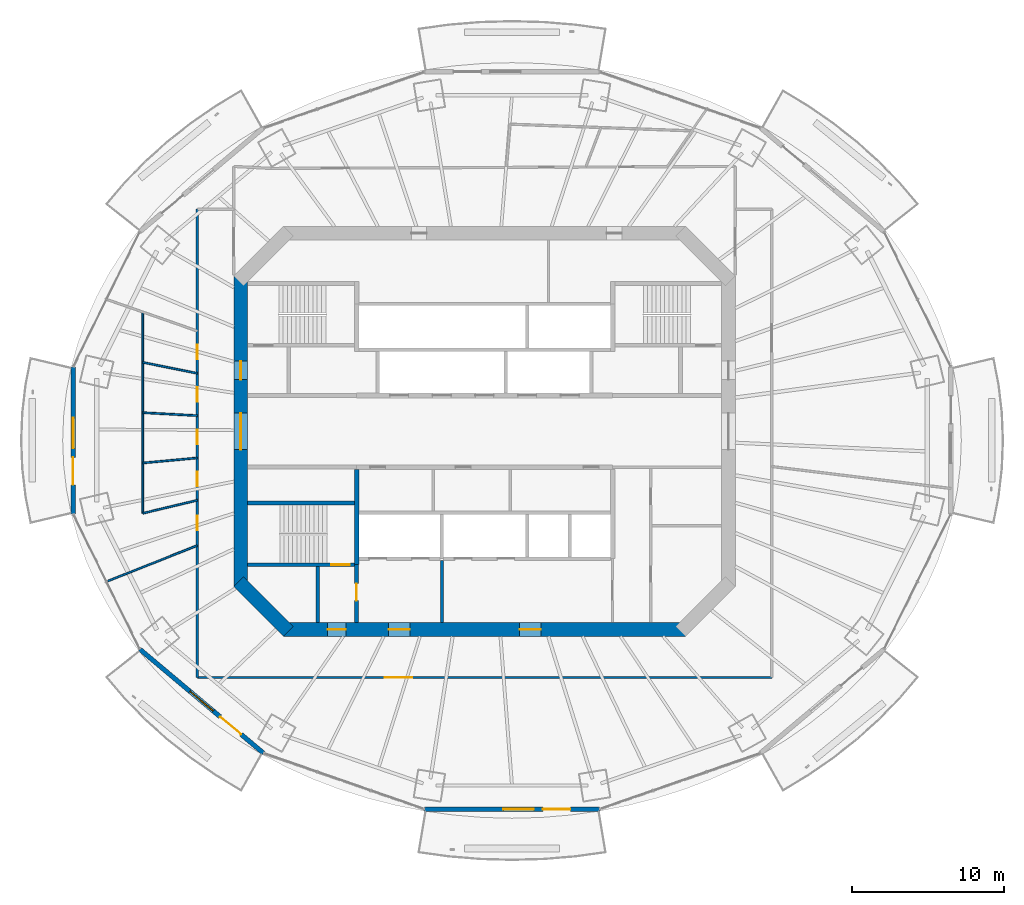
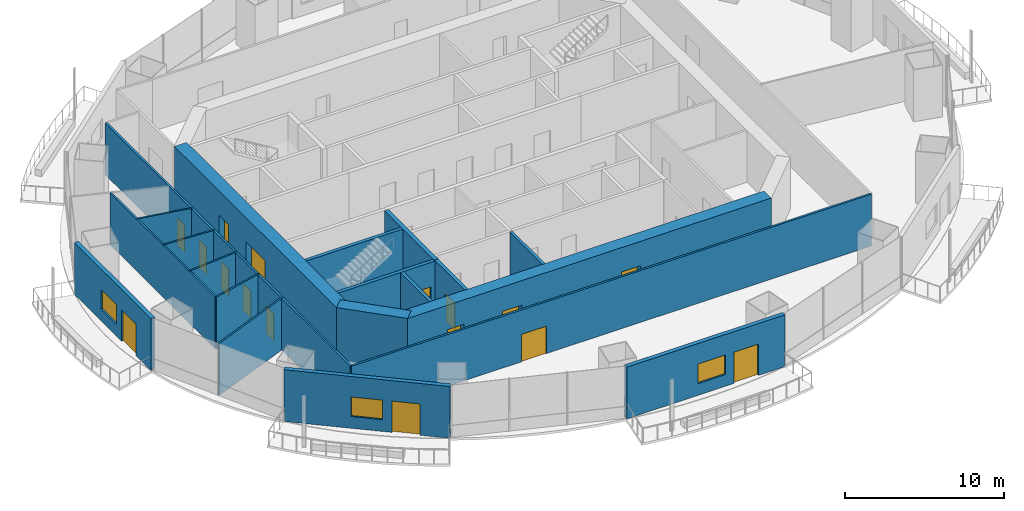
# One storey, part 10 of 18: 20 walls, 16 doors, 3 windows, 19 openings.
"""IFC4 building model written with IfcOpenShell, lengths in metres."""

from ifc_helpers import new_model, si_unit, direction, frame, frame_2d, origin, place, context, subcontext, project, spatial, rectangle, extrude, material, layer, layer_set, type_object, element, fill, save


model = new_model("IFC4")

# Units and contexts
model_context = context("Model", 3, precision=1e-05, world=origin(), true_north=direction((0.0, 1.0)))
body_context = subcontext(model_context, "Body", "Model", "MODEL_VIEW")
ifc_project = project(units=[si_unit("LENGTHUNIT", "METRE"), si_unit("AREAUNIT", "SQUARE_METRE"), si_unit("VOLUMEUNIT", "CUBIC_METRE"), si_unit("PLANEANGLEUNIT", "RADIAN"), si_unit("MASSUNIT", "GRAM", prefix="KILO")], contexts=[model_context])

# Site, building, storey
site_placement = place(None, origin())
site = spatial("IfcSite", under=ifc_project, at=site_placement, CompositionType="ELEMENT")
building_placement = place(site_placement, origin())
building = spatial("IfcBuilding", under=site, at=building_placement, Name="Marenthal Gate Tower", CompositionType="ELEMENT")
storey_placement = place(building_placement, frame((0.0, 0.0, 264.800048828125)))
storey = spatial("IfcBuildingStorey", under=building, at=storey_placement, Name="L59", CompositionType="ELEMENT", Elevation=264.800048828125)

# Wall, openings, doors
ifc_material_1 = material(Name="Concrete 60 MPa", Category="concrete")
ifc_layer_1 = layer(ifc_material_1, 0.89990234375)
ifc_layer_set_1 = layer_set([ifc_layer_1], Name="Core shear wall 900")
wall_type_1 = type_object("IfcWallType", Name="Core shear wall 900", PredefinedType="SHEAR", material=ifc_layer_set_1)
wall_1_placement = place(storey_placement, frame((-16.0, 10.186279296875, -0.179931640625), z_axis=(0.0, 0.0, 1.0), x_axis=(0.0, -1.0, 0.0)))
wall_1 = element("IfcWall", 1, at=wall_1_placement, inside=storey, type_object=wall_type_1, Name="Core wall 06", PredefinedType="SHEAR", context=body_context, shape_type="SweptSolid", body=[
    extrude(rectangle(XDim=20.37255859375, YDim=0.89990234375, at=frame_2d((10.186279296875, 0.0))), origin(), (0.0, 0.0, 1.0), 4.14990234375),
])
opening_1_placement = place(wall_1_placement, frame((8.986328125, 0.0, 0.179931640625)))
opening_1 = element("IfcOpeningElement", 2, at=opening_1_placement, cuts=wall_1, Name="Opening D003.01", PredefinedType="OPENING", context=body_context, shape_type="SweptSolid", body=[
    extrude(rectangle(XDim=2.39990234375, YDim=2.10009765625, at=frame_2d((1.199951171875, 1.050048828125))), frame((0.0, 0.4599609375, 0.0), z_axis=(0.0, -1.0, 0.0), x_axis=(1.0, 0.0, 0.0)), (0.0, 0.0, 1.0), 0.919921875),
])
opening_2_placement = place(wall_1_placement, frame((5.58642578125, 0.0, 0.179931640625)))
opening_2 = element("IfcOpeningElement", 3, at=opening_2_placement, cuts=wall_1, Name="Opening D001.04", PredefinedType="OPENING", context=body_context, shape_type="SweptSolid", body=[
    extrude(rectangle(XDim=1.199951171875, YDim=2.10009765625, at=frame_2d((0.60009765625, 1.050048828125))), frame((0.0, 0.4599609375, 0.0), z_axis=(0.0, -1.0, 0.0), x_axis=(1.0, 0.0, 0.0)), (0.0, 0.0, 1.0), 0.919921875),
])
ifc_material_2 = material(Name="Steel fire door", Category="steel")
door_type_1 = type_object("IfcDoorType", Name="Double fire door FD 45 2400 x 2100", OperationType="DOUBLE_DOOR_SINGLE_SWING", PredefinedType="DOOR", material=ifc_material_2)
door_1_placement = place(opening_1_placement, origin())
door_1 = element("IfcDoor", 4, at=door_1_placement, inside=storey, type_object=door_type_1, Name="Door D003.01", OperationType="DOUBLE_DOOR_SINGLE_SWING", OverallHeight=2.10009765625, OverallWidth=2.39990234375, PredefinedType="DOOR", context=body_context, shape_type="SweptSolid", body=[
    extrude(rectangle(XDim=2.39990234375, YDim=2.10009765625, at=frame_2d((1.199951171875, 1.050048828125))), frame((0.0, 0.02490234375, 0.0), z_axis=(0.0, -1.0, 0.0), x_axis=(1.0, 0.0, 0.0)), (0.0, 0.0, 1.0), 0.050048828125),
])
fill(opening_1, door_1)
ifc_material_3 = material(Name="Steel fire door", Category="steel")
door_type_2 = type_object("IfcDoorType", Name="Fire door FD 90 1200 x 2100", OperationType="NOTDEFINED", PredefinedType="DOOR", material=ifc_material_3)
door_2_placement = place(opening_2_placement, origin())
door_2 = element("IfcDoor", 5, at=door_2_placement, inside=storey, type_object=door_type_2, Name="Door D001.04", OperationType="SINGLE_SWING_RIGHT", OverallHeight=2.10009765625, OverallWidth=1.199951171875, PredefinedType="DOOR", context=body_context, shape_type="SweptSolid", body=[
    extrude(rectangle(XDim=1.199951171875, YDim=2.10009765625, at=frame_2d((0.60009765625, 1.050048828125))), frame((0.0, 0.02490234375, 0.0), z_axis=(0.0, -1.0, 0.0), x_axis=(1.0, 0.0, 0.0)), (0.0, 0.0, 1.0), 0.050048828125),
])
fill(opening_2, door_2)

# Wall
wall_2_placement = place(storey_placement, frame((-16.1318359375, -9.8681640625, -0.179931640625), z_axis=(0.0, 0.0, 1.0), x_axis=(0.707106781187, -0.707106781187, 0.0)))
element("IfcWall", 6, at=wall_2_placement, inside=storey, type_object=wall_type_1, Name="Core wall 07", PredefinedType="SHEAR", context=body_context, shape_type="SweptSolid", body=[
    extrude(rectangle(XDim=4.615478515625, YDim=0.89990234375, at=frame_2d((2.3076171875, 0.0))), origin(), (0.0, 0.0, 1.0), 4.14990234375),
])

# Wall, openings, doors
wall_3_placement = place(storey_placement, frame((-13.186279296875, -13.0, -0.179931640625), z_axis=(0.0, 0.0, 1.0), x_axis=(1.0, 0.0, 0.0)))
wall_3 = element("IfcWall", 7, at=wall_3_placement, inside=storey, type_object=wall_type_1, Name="Core wall 08", PredefinedType="SHEAR", context=body_context, shape_type="SweptSolid", body=[
    extrude(rectangle(XDim=26.37255859375, YDim=0.89990234375, at=frame_2d((13.186279296875, 0.0))), origin(), (0.0, 0.0, 1.0), 4.14990234375),
])
opening_3_placement = place(wall_3_placement, frame((2.886474609375, 0.0, 0.179931640625)))
opening_3 = element("IfcOpeningElement", 8, at=opening_3_placement, cuts=wall_3, Name="Opening D001.06", PredefinedType="OPENING", context=body_context, shape_type="SweptSolid", body=[
    extrude(rectangle(XDim=1.199951171875, YDim=2.10009765625, at=frame_2d((0.60009765625, 1.050048828125))), frame((0.0, 0.4599609375, 0.0), z_axis=(0.0, -1.0, 0.0), x_axis=(1.0, 0.0, 0.0)), (0.0, 0.0, 1.0), 0.919921875),
])
opening_4_placement = place(wall_3_placement, frame((6.886474609375, 0.0, 0.179931640625)))
opening_4 = element("IfcOpeningElement", 9, at=opening_4_placement, cuts=wall_3, Name="Opening D004.01", PredefinedType="OPENING", context=body_context, shape_type="SweptSolid", body=[
    extrude(rectangle(XDim=1.39990234375, YDim=2.10009765625, at=frame_2d((0.699951171875, 1.050048828125))), frame((0.0, 0.4599609375, 0.0), z_axis=(0.0, -1.0, 0.0), x_axis=(1.0, 0.0, 0.0)), (0.0, 0.0, 1.0), 0.919921875),
])
opening_5_placement = place(wall_3_placement, frame((15.486328125, 0.0, 0.179931640625)))
opening_5 = element("IfcOpeningElement", 10, at=opening_5_placement, cuts=wall_3, Name="Opening D004.02", PredefinedType="OPENING", context=body_context, shape_type="SweptSolid", body=[
    extrude(rectangle(XDim=1.39990234375, YDim=2.10009765625, at=frame_2d((0.699951171875, 1.050048828125))), frame((0.0, 0.4599609375, 0.0), z_axis=(0.0, -1.0, 0.0), x_axis=(1.0, 0.0, 0.0)), (0.0, 0.0, 1.0), 0.919921875),
])
ifc_material_4 = material(Name="Steel fire door", Category="steel")
door_type_3 = type_object("IfcDoorType", Name="Fire door FD 45 1400 x 2100", OperationType="NOTDEFINED", PredefinedType="DOOR", material=ifc_material_4)
door_3_placement = place(opening_4_placement, origin())
door_3 = element("IfcDoor", 11, at=door_3_placement, inside=storey, type_object=door_type_3, Name="Door D004.01", OperationType="SINGLE_SWING_RIGHT", OverallHeight=2.10009765625, OverallWidth=1.39990234375, PredefinedType="DOOR", context=body_context, shape_type="SweptSolid", body=[
    extrude(rectangle(XDim=1.39990234375, YDim=2.10009765625, at=frame_2d((0.699951171875, 1.050048828125))), frame((0.0, 0.02490234375, 0.0), z_axis=(0.0, -1.0, 0.0), x_axis=(1.0, 0.0, 0.0)), (0.0, 0.0, 1.0), 0.050048828125),
])
fill(opening_4, door_3)
door_4_placement = place(opening_5_placement, origin())
door_4 = element("IfcDoor", 12, at=door_4_placement, inside=storey, type_object=door_type_3, Name="Door D004.02", OperationType="SINGLE_SWING_RIGHT", OverallHeight=2.10009765625, OverallWidth=1.39990234375, PredefinedType="DOOR", context=body_context, shape_type="SweptSolid", body=[
    extrude(rectangle(XDim=1.39990234375, YDim=2.10009765625, at=frame_2d((0.699951171875, 1.050048828125))), frame((0.0, 0.02490234375, 0.0), z_axis=(0.0, -1.0, 0.0), x_axis=(1.0, 0.0, 0.0)), (0.0, 0.0, 1.0), 0.050048828125),
])
fill(opening_5, door_4)
door_5_placement = place(opening_3_placement, origin())
door_5 = element("IfcDoor", 13, at=door_5_placement, inside=storey, type_object=door_type_2, Name="Door D001.06", OperationType="SINGLE_SWING_RIGHT", OverallHeight=2.10009765625, OverallWidth=1.199951171875, PredefinedType="DOOR", context=body_context, shape_type="SweptSolid", body=[
    extrude(rectangle(XDim=1.199951171875, YDim=2.10009765625, at=frame_2d((0.60009765625, 1.050048828125))), frame((0.0, 0.02490234375, 0.0), z_axis=(0.0, -1.0, 0.0), x_axis=(1.0, 0.0, 0.0)), (0.0, 0.0, 1.0), 0.050048828125),
])
fill(opening_3, door_5)

# Walls
ifc_material_5 = material(Name="Gypsum board on steel studs", Category="steel")
ifc_layer_2 = layer(ifc_material_5, 0.199951171875)
ifc_layer_set_2 = layer_set([ifc_layer_2], Name="Fire lobby wall 200")
wall_type_2 = type_object("IfcWallType", Name="Fire lobby wall 200", PredefinedType="PARTITIONING", material=ifc_layer_set_2)
wall_4_placement = place(storey_placement, frame((-2.800048828125, -12.550048828125, 0.0), z_axis=(0.0, 0.0, 1.0), x_axis=(0.0, 1.0, 0.0)))
element("IfcWall", 14, at=wall_4_placement, inside=storey, type_object=wall_type_2, Name="Fire wall 35", PredefinedType="PARTITIONING", context=body_context, shape_type="SweptSolid", body=[
    extrude(rectangle(XDim=4.090087890625, YDim=0.199951171875, at=frame_2d((2.044921875, 0.0))), origin(), (0.0, 0.0, 1.0), 3.969970703125),
])
ifc_material_6 = material(Name="Concrete 50 MPa", Category="concrete")
ifc_layer_3 = layer(ifc_material_6, 0.300048828125)
ifc_layer_set_3 = layer_set([ifc_layer_3], Name="Hoistway shear wall 300")
wall_type_3 = type_object("IfcWallType", Name="Hoistway shear wall 300", PredefinedType="SHEAR", material=ifc_layer_set_3)
wall_5_placement = place(storey_placement, frame((-8.39990234375, -8.75, -0.179931640625), z_axis=(0.0, 0.0, 1.0), x_axis=(0.0, 1.0, 0.0)))
element("IfcWall", 15, at=wall_5_placement, inside=storey, type_object=wall_type_3, Name="Hoistway wall 30", PredefinedType="SHEAR", context=body_context, shape_type="SweptSolid", body=[
    extrude(rectangle(XDim=6.25, YDim=0.300048828125, at=frame_2d((3.125, 0.0))), origin(), (0.0, 0.0, 1.0), 4.14990234375),
])
ifc_material_7 = material(Name="Gypsum board on steel studs", Category="steel")
ifc_layer_4 = layer(ifc_material_7, 0.1201171875)
ifc_layer_set_4 = layer_set([ifc_layer_4], Name="Partition 120")
wall_type_4 = type_object("IfcWallType", Name="Partition 120", PredefinedType="PARTITIONING", material=ifc_layer_set_4)
wall_6_placement = place(storey_placement, frame((-22.4228515625, -5.37939453125, 0.0), z_axis=(0.0, 0.0, 1.0), x_axis=(0.972404790941, 0.233300069769, 0.0)))
element("IfcWall", 16, at=wall_6_placement, inside=storey, type_object=wall_type_4, Name="Partition wall 50", PredefinedType="PARTITIONING", context=body_context, shape_type="SweptSolid", body=[
    extrude(rectangle(XDim=3.674072265625, YDim=0.1201171875, at=frame_2d((1.8369140625, 0.0))), origin(), (0.0, 0.0, 1.0), 3.969970703125),
])
wall_7_placement = place(storey_placement, frame((-22.4228515625, -2.07763671875, 0.0), z_axis=(0.0, 0.0, 1.0), x_axis=(0.995734425091, 0.092265674486, 0.0)))
element("IfcWall", 17, at=wall_7_placement, inside=storey, type_object=wall_type_4, Name="Partition wall 51", PredefinedType="PARTITIONING", context=body_context, shape_type="SweptSolid", body=[
    extrude(rectangle(XDim=3.588134765625, YDim=0.1201171875, at=frame_2d((1.7939453125, 0.0))), origin(), (0.0, 0.0, 1.0), 3.969970703125),
])
wall_8_placement = place(storey_placement, frame((-22.4228515625, 1.223876953125, 0.0), z_axis=(0.0, 0.0, 1.0), x_axis=(0.998512805401, -0.054517680164, 0.0)))
element("IfcWall", 18, at=wall_8_placement, inside=storey, type_object=wall_type_4, Name="Partition wall 52", PredefinedType="PARTITIONING", context=body_context, shape_type="SweptSolid", body=[
    extrude(rectangle(XDim=3.578125, YDim=0.1201171875, at=frame_2d((1.7890625, 0.0))), origin(), (0.0, 0.0, 1.0), 3.969970703125),
])
wall_9_placement = place(storey_placement, frame((-22.4228515625, 4.525634765625, 0.0), z_axis=(0.0, 0.0, 1.0), x_axis=(0.980228738347, -0.19786768437, 0.0)))
element("IfcWall", 19, at=wall_9_placement, inside=storey, type_object=wall_type_4, Name="Partition wall 53", PredefinedType="PARTITIONING", context=body_context, shape_type="SweptSolid", body=[
    extrude(rectangle(XDim=3.644775390625, YDim=0.1201171875, at=frame_2d((1.822265625, 0.0))), origin(), (0.0, 0.0, 1.0), 3.969970703125),
])
wall_10_placement = place(storey_placement, frame((-22.4228515625, 7.8271484375, 0.0), z_axis=(0.0, 0.0, 1.0), x_axis=(0.0, -1.0, 0.0)))
element("IfcWall", 20, at=wall_10_placement, inside=storey, type_object=wall_type_4, Name="Partition wall 54", PredefinedType="PARTITIONING", context=body_context, shape_type="SweptSolid", body=[
    extrude(rectangle(XDim=13.20654296875, YDim=0.1201171875, at=frame_2d((6.603271484375, 0.0))), origin(), (0.0, 0.0, 1.0), 3.969970703125),
])
wall_11_placement = place(storey_placement, frame((-18.85009765625, -7.491943359375, 0.0), z_axis=(0.0, 0.0, 1.0), x_axis=(-0.929289035648, -0.369353337908, 0.0)))
element("IfcWall", 21, at=wall_11_placement, inside=storey, type_object=wall_type_4, Name="Partition wall 56", PredefinedType="PARTITIONING", context=body_context, shape_type="SweptSolid", body=[
    extrude(rectangle(XDim=6.40771484375, YDim=0.1201171875, at=frame_2d((3.203857421875, 0.0))), origin(), (0.0, 0.0, 1.0), 3.969970703125),
])

# Wall, openings, doors
ifc_material_8 = material(Name="Gypsum board on steel studs", Category="steel")
ifc_layer_5 = layer(ifc_material_8, 0.14990234375)
ifc_layer_set_5 = layer_set([ifc_layer_5], Name="Partition 150")
wall_type_5 = type_object("IfcWallType", Name="Partition 150", PredefinedType="PARTITIONING", material=ifc_layer_set_5)
wall_12_placement = place(storey_placement, frame((-18.85009765625, -16.14990234375, 0.0), z_axis=(0.0, 0.0, 1.0), x_axis=(0.0, 1.0, 0.0)))
wall_12 = element("IfcWall", 22, at=wall_12_placement, inside=storey, type_object=wall_type_5, Name="Partition wall 55", PredefinedType="PARTITIONING", context=body_context, shape_type="SweptSolid", body=[
    extrude(rectangle(XDim=30.72998046875, YDim=0.14990234375, at=frame_2d((15.364990234375, 0.0))), origin(), (0.0, 0.0, 1.0), 3.969970703125),
])
opening_6_placement = place(wall_12_placement, frame((20.866943359375, 0.0, 0.0)))
opening_6 = element("IfcOpeningElement", 23, at=opening_6_placement, cuts=wall_12, Name="Opening D016.03", PredefinedType="OPENING", context=body_context, shape_type="SweptSolid", body=[
    extrude(rectangle(XDim=0.949951171875, YDim=2.10009765625, at=frame_2d((0.47509765625, 1.050048828125))), frame((0.0, 0.0849609375, 0.0), z_axis=(0.0, -1.0, 0.0), x_axis=(1.0, 0.0, 0.0)), (0.0, 0.0, 1.0), 0.169921875),
])
opening_7_placement = place(wall_12_placement, frame((18.091064453125, 0.0, 0.0)))
opening_7 = element("IfcOpeningElement", 24, at=opening_7_placement, cuts=wall_12, Name="Opening D016.04", PredefinedType="OPENING", context=body_context, shape_type="SweptSolid", body=[
    extrude(rectangle(XDim=0.949951171875, YDim=2.10009765625, at=frame_2d((0.47509765625, 1.050048828125))), frame((0.0, 0.0849609375, 0.0), z_axis=(0.0, -1.0, 0.0), x_axis=(1.0, 0.0, 0.0)), (0.0, 0.0, 1.0), 0.169921875),
])
opening_8_placement = place(wall_12_placement, frame((15.31591796875, 0.0, 0.0)))
opening_8 = element("IfcOpeningElement", 25, at=opening_8_placement, cuts=wall_12, Name="Opening D016.05", PredefinedType="OPENING", context=body_context, shape_type="SweptSolid", body=[
    extrude(rectangle(XDim=0.949951171875, YDim=2.10009765625, at=frame_2d((0.47509765625, 1.050048828125))), frame((0.0, 0.0849609375, 0.0), z_axis=(0.0, -1.0, 0.0), x_axis=(1.0, 0.0, 0.0)), (0.0, 0.0, 1.0), 0.169921875),
])
opening_9_placement = place(wall_12_placement, frame((12.5400390625, 0.0, 0.0)))
opening_9 = element("IfcOpeningElement", 26, at=opening_9_placement, cuts=wall_12, Name="Opening D016.06", PredefinedType="OPENING", context=body_context, shape_type="SweptSolid", body=[
    extrude(rectangle(XDim=0.949951171875, YDim=2.10009765625, at=frame_2d((0.47509765625, 1.050048828125))), frame((0.0, 0.0849609375, 0.0), z_axis=(0.0, -1.0, 0.0), x_axis=(1.0, 0.0, 0.0)), (0.0, 0.0, 1.0), 0.169921875),
])
opening_10_placement = place(wall_12_placement, frame((9.66796875, 0.0, 0.0)))
opening_10 = element("IfcOpeningElement", 27, at=opening_10_placement, cuts=wall_12, Name="Opening D016.07", PredefinedType="OPENING", context=body_context, shape_type="SweptSolid", body=[
    extrude(rectangle(XDim=0.949951171875, YDim=2.10009765625, at=frame_2d((0.47509765625, 1.050048828125))), frame((0.0, 0.0849609375, 0.0), z_axis=(0.0, -1.0, 0.0), x_axis=(1.0, 0.0, 0.0)), (0.0, 0.0, 1.0), 0.169921875),
])
ifc_material_9 = material(Name="Timber door", Category="wood")
door_type_4 = type_object("IfcDoorType", Name="Door 950 x 2100", OperationType="NOTDEFINED", PredefinedType="DOOR", material=ifc_material_9)
door_6_placement = place(opening_6_placement, origin())
door_6 = element("IfcDoor", 28, at=door_6_placement, inside=storey, type_object=door_type_4, Name="Door D016.03", OperationType="SINGLE_SWING_RIGHT", OverallHeight=2.10009765625, OverallWidth=0.949951171875, PredefinedType="DOOR", context=body_context, shape_type="SweptSolid", body=[
    extrude(rectangle(XDim=0.949951171875, YDim=2.10009765625, at=frame_2d((0.47509765625, 1.050048828125))), frame((0.0, 0.02490234375, 0.0), z_axis=(0.0, -1.0, 0.0), x_axis=(1.0, 0.0, 0.0)), (0.0, 0.0, 1.0), 0.050048828125),
])
fill(opening_6, door_6)
door_7_placement = place(opening_7_placement, origin())
door_7 = element("IfcDoor", 29, at=door_7_placement, inside=storey, type_object=door_type_4, Name="Door D016.04", OperationType="SINGLE_SWING_RIGHT", OverallHeight=2.10009765625, OverallWidth=0.949951171875, PredefinedType="DOOR", context=body_context, shape_type="SweptSolid", body=[
    extrude(rectangle(XDim=0.949951171875, YDim=2.10009765625, at=frame_2d((0.47509765625, 1.050048828125))), frame((0.0, 0.02490234375, 0.0), z_axis=(0.0, -1.0, 0.0), x_axis=(1.0, 0.0, 0.0)), (0.0, 0.0, 1.0), 0.050048828125),
])
fill(opening_7, door_7)
door_8_placement = place(opening_8_placement, origin())
door_8 = element("IfcDoor", 30, at=door_8_placement, inside=storey, type_object=door_type_4, Name="Door D016.05", OperationType="SINGLE_SWING_RIGHT", OverallHeight=2.10009765625, OverallWidth=0.949951171875, PredefinedType="DOOR", context=body_context, shape_type="SweptSolid", body=[
    extrude(rectangle(XDim=0.949951171875, YDim=2.10009765625, at=frame_2d((0.47509765625, 1.050048828125))), frame((0.0, 0.02490234375, 0.0), z_axis=(0.0, -1.0, 0.0), x_axis=(1.0, 0.0, 0.0)), (0.0, 0.0, 1.0), 0.050048828125),
])
fill(opening_8, door_8)
door_9_placement = place(opening_9_placement, origin())
door_9 = element("IfcDoor", 31, at=door_9_placement, inside=storey, type_object=door_type_4, Name="Door D016.06", OperationType="SINGLE_SWING_RIGHT", OverallHeight=2.10009765625, OverallWidth=0.949951171875, PredefinedType="DOOR", context=body_context, shape_type="SweptSolid", body=[
    extrude(rectangle(XDim=0.949951171875, YDim=2.10009765625, at=frame_2d((0.47509765625, 1.050048828125))), frame((0.0, 0.02490234375, 0.0), z_axis=(0.0, -1.0, 0.0), x_axis=(1.0, 0.0, 0.0)), (0.0, 0.0, 1.0), 0.050048828125),
])
fill(opening_9, door_9)
door_10_placement = place(opening_10_placement, origin())
door_10 = element("IfcDoor", 32, at=door_10_placement, inside=storey, type_object=door_type_4, Name="Door D016.07", OperationType="SINGLE_SWING_RIGHT", OverallHeight=2.10009765625, OverallWidth=0.949951171875, PredefinedType="DOOR", context=body_context, shape_type="SweptSolid", body=[
    extrude(rectangle(XDim=0.949951171875, YDim=2.10009765625, at=frame_2d((0.47509765625, 1.050048828125))), frame((0.0, 0.02490234375, 0.0), z_axis=(0.0, -1.0, 0.0), x_axis=(1.0, 0.0, 0.0)), (0.0, 0.0, 1.0), 0.050048828125),
])
fill(opening_10, door_10)

# Wall, opening, door
wall_13_placement = place(storey_placement, frame((18.85009765625, -16.14990234375, 0.0), z_axis=(0.0, 0.0, 1.0), x_axis=(-1.0, 0.0, 0.0)))
wall_13 = element("IfcWall", 33, at=wall_13_placement, inside=storey, type_object=wall_type_5, Name="Partition wall 68", PredefinedType="PARTITIONING", context=body_context, shape_type="SweptSolid", body=[
    extrude(rectangle(XDim=37.7001953125, YDim=0.14990234375, at=frame_2d((18.85009765625, 0.0))), origin(), (0.0, 0.0, 1.0), 3.969970703125),
])
opening_11_placement = place(wall_13_placement, frame((23.5830078125, 0.0, 0.0)))
opening_11 = element("IfcOpeningElement", 34, at=opening_11_placement, cuts=wall_13, Name="Opening D014.02", PredefinedType="OPENING", context=body_context, shape_type="SweptSolid", body=[
    extrude(rectangle(XDim=1.800048828125, YDim=2.10009765625, at=frame_2d((0.89990234375, 1.050048828125))), frame((0.0, 0.0849609375, 0.0), z_axis=(0.0, -1.0, 0.0), x_axis=(1.0, 0.0, 0.0)), (0.0, 0.0, 1.0), 0.169921875),
])
ifc_material_10 = material(Name="Timber door", Category="wood")
door_type_5 = type_object("IfcDoorType", Name="Double door 1800 x 2100", OperationType="DOUBLE_DOOR_SINGLE_SWING", PredefinedType="DOOR", material=ifc_material_10)
door_11_placement = place(opening_11_placement, origin())
door_11 = element("IfcDoor", 35, at=door_11_placement, inside=storey, type_object=door_type_5, Name="Door D014.02", OperationType="DOUBLE_DOOR_SINGLE_SWING", OverallHeight=2.10009765625, OverallWidth=1.800048828125, PredefinedType="DOOR", context=body_context, shape_type="SweptSolid", body=[
    extrude(rectangle(XDim=1.800048828125, YDim=2.10009765625, at=frame_2d((0.89990234375, 1.050048828125))), frame((0.0, 0.02490234375, 0.0), z_axis=(0.0, -1.0, 0.0), x_axis=(1.0, 0.0, 0.0)), (0.0, 0.0, 1.0), 0.050048828125),
])
fill(opening_11, door_11)

# Wall
ifc_material_11 = material(Name="Concrete 40 MPa", Category="concrete")
ifc_layer_6 = layer(ifc_material_11, 0.25)
ifc_layer_set_6 = layer_set([ifc_layer_6], Name="Stair enclosure wall 250")
wall_type_6 = type_object("IfcWallType", Name="Stair enclosure wall 250", PredefinedType="STANDARD", material=ifc_layer_set_6)
wall_14_placement = place(storey_placement, frame((-10.949951171875, -12.550048828125, 0.0), z_axis=(0.0, 0.0, 1.0), x_axis=(0.0, 1.0, 0.0)))
element("IfcWall", 36, at=wall_14_placement, inside=storey, type_object=wall_type_6, Name="Stair wall 28", PredefinedType="STANDARD", context=body_context, shape_type="SweptSolid", body=[
    extrude(rectangle(XDim=3.675048828125, YDim=0.25, at=frame_2d((1.83740234375, 0.0))), origin(), (0.0, 0.0, 1.0), 3.969970703125),
])

# Wall, opening, door
wall_15_placement = place(storey_placement, frame((-8.39990234375, -12.550048828125, 0.0), z_axis=(0.0, 0.0, 1.0), x_axis=(0.0, 1.0, 0.0)))
wall_15 = element("IfcWall", 37, at=wall_15_placement, inside=storey, type_object=wall_type_6, Name="Stair wall 29", PredefinedType="STANDARD", context=body_context, shape_type="SweptSolid", body=[
    extrude(rectangle(XDim=3.800048828125, YDim=0.25, at=frame_2d((1.89990234375, 0.0))), origin(), (0.0, 0.0, 1.0), 3.969970703125),
])
opening_12_placement = place(wall_15_placement, frame((1.449951171875, 0.0, 0.0)))
opening_12 = element("IfcOpeningElement", 38, at=opening_12_placement, cuts=wall_15, Name="Opening D002.01", PredefinedType="OPENING", context=body_context, shape_type="SweptSolid", body=[
    extrude(rectangle(XDim=1.10009765625, YDim=2.10009765625, at=frame_2d((0.550048828125, 1.050048828125))), frame((0.0, 0.135009765625, 0.0), z_axis=(0.0, -1.0, 0.0), x_axis=(1.0, 0.0, 0.0)), (0.0, 0.0, 1.0), 0.27001953125),
])
ifc_material_12 = material(Name="Steel fire door", Category="steel")
door_type_6 = type_object("IfcDoorType", Name="Fire door FD 90 1100 x 2100", OperationType="NOTDEFINED", PredefinedType="DOOR", material=ifc_material_12)
door_12_placement = place(opening_12_placement, origin())
door_12 = element("IfcDoor", 39, at=door_12_placement, inside=storey, type_object=door_type_6, Name="Door D002.01", OperationType="SINGLE_SWING_RIGHT", OverallHeight=2.10009765625, OverallWidth=1.10009765625, PredefinedType="DOOR", context=body_context, shape_type="SweptSolid", body=[
    extrude(rectangle(XDim=1.10009765625, YDim=2.10009765625, at=frame_2d((0.550048828125, 1.050048828125))), frame((0.0, 0.02490234375, 0.0), z_axis=(0.0, -1.0, 0.0), x_axis=(1.0, 0.0, 0.0)), (0.0, 0.0, 1.0), 0.050048828125),
])
fill(opening_12, door_12)

ifc_material_13 = material(Name="Concrete 50 MPa", Category="concrete")
ifc_layer_7 = layer(ifc_material_13, 0.25)
ifc_layer_set_7 = layer_set([ifc_layer_7], Name="Stair shear wall 250")
wall_type_7 = type_object("IfcWallType", Name="Stair shear wall 250", PredefinedType="SHEAR", material=ifc_layer_set_7)
wall_16_placement = place(storey_placement, frame((-15.550048828125, -8.75, -0.179931640625), z_axis=(0.0, 0.0, 1.0), x_axis=(1.0, 0.0, 0.0)))
wall_16 = element("IfcWall", 40, at=wall_16_placement, inside=storey, type_object=wall_type_7, Name="Stair wall 09", PredefinedType="SHEAR", context=body_context, shape_type="SweptSolid", body=[
    extrude(rectangle(XDim=7.0, YDim=0.25, at=frame_2d((3.5, 0.0))), origin(), (0.0, 0.0, 1.0), 4.14990234375),
])
opening_13_placement = place(wall_16_placement, frame((5.5, 0.0, 0.179931640625)))
opening_13 = element("IfcOpeningElement", 41, at=opening_13_placement, cuts=wall_16, Name="Opening D001.03", PredefinedType="OPENING", context=body_context, shape_type="SweptSolid", body=[
    extrude(rectangle(XDim=1.199951171875, YDim=2.10009765625, at=frame_2d((0.60009765625, 1.050048828125))), frame((0.0, 0.135009765625, 0.0), z_axis=(0.0, -1.0, 0.0), x_axis=(1.0, 0.0, 0.0)), (0.0, 0.0, 1.0), 0.27001953125),
])
door_13_placement = place(opening_13_placement, origin())
door_13 = element("IfcDoor", 42, at=door_13_placement, inside=storey, type_object=door_type_2, Name="Door D001.03", OperationType="SINGLE_SWING_RIGHT", OverallHeight=2.10009765625, OverallWidth=1.199951171875, PredefinedType="DOOR", context=body_context, shape_type="SweptSolid", body=[
    extrude(rectangle(XDim=1.199951171875, YDim=2.10009765625, at=frame_2d((0.60009765625, 1.050048828125))), frame((0.0, 0.02490234375, 0.0), z_axis=(0.0, -1.0, 0.0), x_axis=(1.0, 0.0, 0.0)), (0.0, 0.0, 1.0), 0.050048828125),
])
fill(opening_13, door_13)

# Wall
wall_17_placement = place(storey_placement, frame((-15.550048828125, -4.699951171875, -0.179931640625), z_axis=(0.0, 0.0, 1.0), x_axis=(1.0, 0.0, 0.0)))
element("IfcWall", 43, at=wall_17_placement, inside=storey, type_object=wall_type_7, Name="Stair wall 14", PredefinedType="SHEAR", context=body_context, shape_type="SweptSolid", body=[
    extrude(rectangle(XDim=7.0, YDim=0.25, at=frame_2d((3.5, 0.0))), origin(), (0.0, 0.0, 1.0), 4.14990234375),
])

# Wall, openings, door, window
ifc_material_14 = material(Name="Terracotta cladding on insulated concrete-block backing", Category="masonry")
ifc_layer_8 = layer(ifc_material_14, 0.300048828125)
ifc_layer_set_8 = layer_set([ifc_layer_8], Name="Terracotta facade wall 300")
wall_type_8 = type_object("IfcWallType", Name="Terracotta facade wall 300", PredefinedType="SOLIDWALL", material=ifc_layer_set_8)
wall_18_placement = place(storey_placement, frame((-26.996826171875, 4.21240234375, 0.0), z_axis=(0.0, 0.0, 1.0), x_axis=(0.0, -1.0, 0.0)))
wall_18 = element("IfcWall", 44, at=wall_18_placement, inside=storey, type_object=wall_type_8, Name="Terracotta facade wall L59 bay 8", PredefinedType="SOLIDWALL", context=body_context, shape_type="SweptSolid", body=[
    extrude(rectangle(XDim=9.625, YDim=0.300048828125, at=frame_2d((4.8125, 0.0))), origin(), (0.0, 0.0, 1.0), 3.969970703125),
])
opening_14_placement = place(wall_18_placement, frame((5.925048828125, 0.0, 0.0)))
opening_14 = element("IfcOpeningElement", 45, at=opening_14_placement, cuts=wall_18, Name="Opening BD-L59-08", PredefinedType="OPENING", context=body_context, shape_type="SweptSolid", body=[
    extrude(rectangle(XDim=1.800048828125, YDim=2.39990234375, at=frame_2d((0.89990234375, 1.199951171875))), frame((0.0, 0.16015625, 0.0), z_axis=(0.0, -1.0, 0.0), x_axis=(1.0, 0.0, 0.0)), (0.0, 0.0, 1.0), 0.320068359375),
])
opening_15_placement = place(wall_18_placement, frame((3.324951171875, 0.0, 0.89990234375)))
opening_15 = element("IfcOpeningElement", 46, at=opening_15_placement, cuts=wall_18, Name="Opening WN2-L59-08", PredefinedType="OPENING", context=body_context, shape_type="SweptSolid", body=[
    extrude(rectangle(XDim=2.0, YDim=1.5, at=frame_2d((1.0, 0.75))), frame((0.0, 0.16015625, 0.0), z_axis=(0.0, -1.0, 0.0), x_axis=(1.0, 0.0, 0.0)), (0.0, 0.0, 1.0), 0.320068359375),
])
ifc_material_15 = material(Name="Aluminium and glass", Category="aluminium")
door_type_7 = type_object("IfcDoorType", Name="Balcony door 1800x2400", OperationType="DOUBLE_DOOR_SINGLE_SWING", PredefinedType="DOOR", material=ifc_material_15)
door_14_placement = place(opening_14_placement, origin())
door_14 = element("IfcDoor", 47, at=door_14_placement, inside=storey, type_object=door_type_7, Name="Balcony door L59 bay 8", OperationType="SINGLE_SWING_LEFT", OverallHeight=2.39990234375, OverallWidth=1.800048828125, PredefinedType="DOOR", context=body_context, shape_type="SweptSolid", body=[
    extrude(rectangle(XDim=1.800048828125, YDim=2.39990234375, at=frame_2d((0.89990234375, 1.199951171875))), frame((0.0, 0.02490234375, 0.0), z_axis=(0.0, -1.0, 0.0), x_axis=(1.0, 0.0, 0.0)), (0.0, 0.0, 1.0), 0.050048828125),
])
fill(opening_14, door_14)
ifc_material_16 = material(Name="Aluminium and glass", Category="aluminium")
window_type = type_object("IfcWindowType", Name="Window 2000x1500", PartitioningType="DOUBLE_PANEL_VERTICAL", PredefinedType="WINDOW", material=ifc_material_16)
window_1_placement = place(opening_15_placement, origin())
window_1 = element("IfcWindow", 48, at=window_1_placement, inside=storey, type_object=window_type, Name="Window L59 bay 8", OverallHeight=1.5, OverallWidth=2.0, PartitioningType="SINGLE_PANEL", PredefinedType="WINDOW", context=body_context, shape_type="SweptSolid", body=[
    extrude(rectangle(XDim=2.0, YDim=1.5, at=frame_2d((1.0, 0.75))), frame((0.0, 0.030029296875, 0.0), z_axis=(0.0, -1.0, 0.0), x_axis=(1.0, 0.0, 0.0)), (0.0, 0.0, 1.0), 0.06005859375),
])
fill(opening_15, window_1)

wall_19_placement = place(storey_placement, frame((-22.61279296875, -14.3046875, 0.0), z_axis=(0.0, 0.0, 1.0), x_axis=(0.76563894676, -0.643270552104, 0.0)))
wall_19 = element("IfcWall", 49, at=wall_19_placement, inside=storey, type_object=wall_type_8, Name="Terracotta facade wall L59 bay 10", PredefinedType="SOLIDWALL", context=body_context, shape_type="SweptSolid", body=[
    extrude(rectangle(XDim=10.580078125, YDim=0.300048828125, at=frame_2d((5.2900390625, 0.0))), origin(), (0.0, 0.0, 1.0), 3.969970703125),
])
opening_16_placement = place(wall_19_placement, frame((6.880126953125, 0.0, 0.0)))
opening_16 = element("IfcOpeningElement", 50, at=opening_16_placement, cuts=wall_19, Name="Opening BD-L59-10", PredefinedType="OPENING", context=body_context, shape_type="SweptSolid", body=[
    extrude(rectangle(XDim=1.800048828125, YDim=2.39990234375, at=frame_2d((0.89990234375, 1.199951171875))), frame((0.0, 0.16015625, 0.0), z_axis=(0.0, -1.0, 0.0), x_axis=(1.0, 0.0, 0.0)), (0.0, 0.0, 1.0), 0.320068359375),
])
opening_17_placement = place(wall_19_placement, frame((4.2802734375, 0.0, 0.89990234375)))
opening_17 = element("IfcOpeningElement", 51, at=opening_17_placement, cuts=wall_19, Name="Opening WN2-L59-10", PredefinedType="OPENING", context=body_context, shape_type="SweptSolid", body=[
    extrude(rectangle(XDim=2.0, YDim=1.5, at=frame_2d((1.0, 0.75))), frame((0.0, 0.16015625, 0.0), z_axis=(0.0, -1.0, 0.0), x_axis=(1.0, 0.0, 0.0)), (0.0, 0.0, 1.0), 0.320068359375),
])
door_15_placement = place(opening_16_placement, origin())
door_15 = element("IfcDoor", 52, at=door_15_placement, inside=storey, type_object=door_type_7, Name="Balcony door L59 bay 10", OperationType="SINGLE_SWING_LEFT", OverallHeight=2.39990234375, OverallWidth=1.800048828125, PredefinedType="DOOR", context=body_context, shape_type="SweptSolid", body=[
    extrude(rectangle(XDim=1.800048828125, YDim=2.39990234375, at=frame_2d((0.89990234375, 1.199951171875))), frame((0.0, 0.02490234375, 0.0), z_axis=(0.0, -1.0, 0.0), x_axis=(1.0, 0.0, 0.0)), (0.0, 0.0, 1.0), 0.050048828125),
])
fill(opening_16, door_15)
window_2_placement = place(opening_17_placement, origin())
window_2 = element("IfcWindow", 53, at=window_2_placement, inside=storey, type_object=window_type, Name="Window L59 bay 10", OverallHeight=1.5, OverallWidth=2.0, PartitioningType="SINGLE_PANEL", PredefinedType="WINDOW", context=body_context, shape_type="SweptSolid", body=[
    extrude(rectangle(XDim=2.0, YDim=1.5, at=frame_2d((1.0, 0.75))), frame((0.0, 0.030029296875, 0.0), z_axis=(0.0, -1.0, 0.0), x_axis=(1.0, 0.0, 0.0)), (0.0, 0.0, 1.0), 0.06005859375),
])
fill(opening_17, window_2)

wall_20_placement = place(storey_placement, frame((-3.927978515625, -24.7939453125, 0.0), z_axis=(0.0, 0.0, 1.0), x_axis=(1.0, 0.0, 0.0)))
wall_20 = element("IfcWall", 54, at=wall_20_placement, inside=storey, type_object=wall_type_8, Name="Terracotta facade wall L59 bay 12", PredefinedType="SOLIDWALL", context=body_context, shape_type="SweptSolid", body=[
    extrude(rectangle(XDim=11.4560546875, YDim=0.300048828125, at=frame_2d((5.72802734375, 0.0))), origin(), (0.0, 0.0, 1.0), 3.969970703125),
])
opening_18_placement = place(wall_20_placement, frame((7.756103515625, 0.0, 0.0)))
opening_18 = element("IfcOpeningElement", 55, at=opening_18_placement, cuts=wall_20, Name="Opening BD-L59-12", PredefinedType="OPENING", context=body_context, shape_type="SweptSolid", body=[
    extrude(rectangle(XDim=1.800048828125, YDim=2.39990234375, at=frame_2d((0.89990234375, 1.199951171875))), frame((0.0, 0.16015625, 0.0), z_axis=(0.0, -1.0, 0.0), x_axis=(1.0, 0.0, 0.0)), (0.0, 0.0, 1.0), 0.320068359375),
])
opening_19_placement = place(wall_20_placement, frame((5.156005859375, 0.0, 0.89990234375)))
opening_19 = element("IfcOpeningElement", 56, at=opening_19_placement, cuts=wall_20, Name="Opening WN2-L59-12", PredefinedType="OPENING", context=body_context, shape_type="SweptSolid", body=[
    extrude(rectangle(XDim=2.0, YDim=1.5, at=frame_2d((1.0, 0.75))), frame((0.0, 0.16015625, 0.0), z_axis=(0.0, -1.0, 0.0), x_axis=(1.0, 0.0, 0.0)), (0.0, 0.0, 1.0), 0.320068359375),
])
door_16_placement = place(opening_18_placement, origin())
door_16 = element("IfcDoor", 57, at=door_16_placement, inside=storey, type_object=door_type_7, Name="Balcony door L59 bay 12", OperationType="SINGLE_SWING_LEFT", OverallHeight=2.39990234375, OverallWidth=1.800048828125, PredefinedType="DOOR", context=body_context, shape_type="SweptSolid", body=[
    extrude(rectangle(XDim=1.800048828125, YDim=2.39990234375, at=frame_2d((0.89990234375, 1.199951171875))), frame((0.0, 0.02490234375, 0.0), z_axis=(0.0, -1.0, 0.0), x_axis=(1.0, 0.0, 0.0)), (0.0, 0.0, 1.0), 0.050048828125),
])
fill(opening_18, door_16)
window_3_placement = place(opening_19_placement, origin())
window_3 = element("IfcWindow", 58, at=window_3_placement, inside=storey, type_object=window_type, Name="Window L59 bay 12", OverallHeight=1.5, OverallWidth=2.0, PartitioningType="SINGLE_PANEL", PredefinedType="WINDOW", context=body_context, shape_type="SweptSolid", body=[
    extrude(rectangle(XDim=2.0, YDim=1.5, at=frame_2d((1.0, 0.75))), frame((0.0, 0.030029296875, 0.0), z_axis=(0.0, -1.0, 0.0), x_axis=(1.0, 0.0, 0.0)), (0.0, 0.0, 1.0), 0.06005859375),
])
fill(opening_19, window_3)

save(model, "model.ifc")
